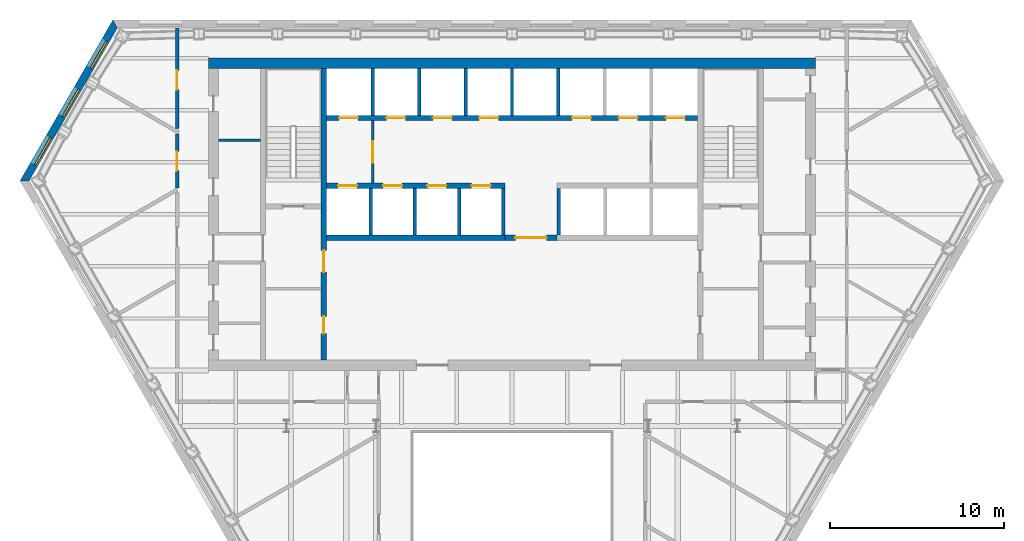
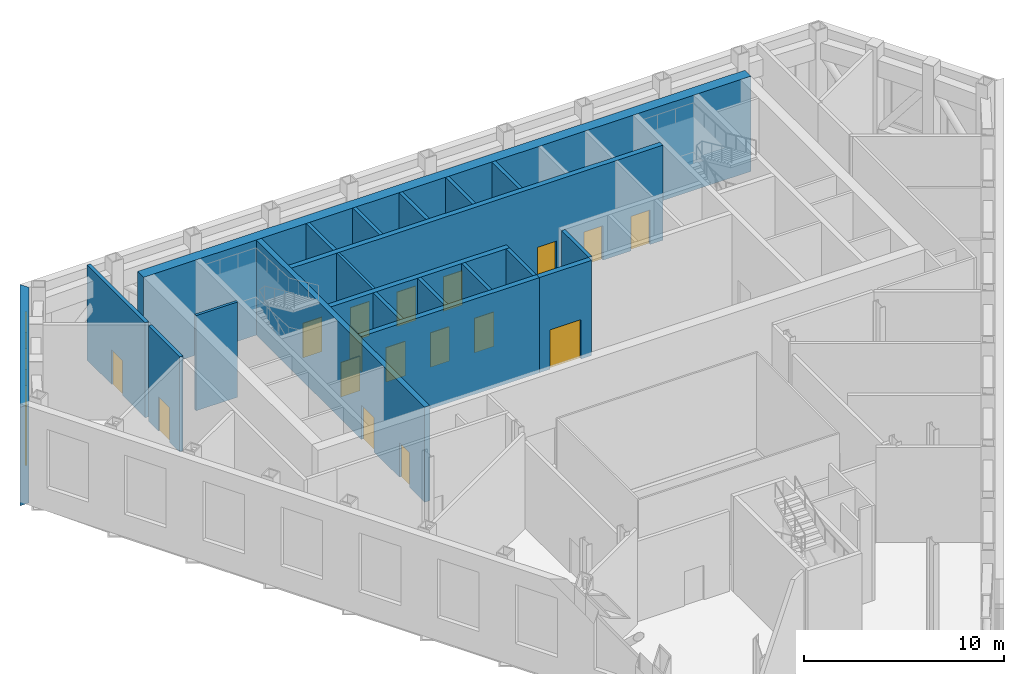
# One storey, part 9 of 14: 21 walls, 17 doors, 3 shading devices, 20 openings.
"""IFC4 building model written with IfcOpenShell, lengths in metres."""

from ifc_helpers import new_model, si_unit, direction, frame, frame_2d, origin, place, context, subcontext, project, spatial, polyline, rectangle, outline, extrude, material, layer, layer_set, type_object, element, fill, save


model = new_model("IFC4")

# Units and contexts
model_context = context("Model", 3, precision=1e-05, world=origin(), true_north=direction((0.0, 1.0)))
body_context = subcontext(model_context, "Body", "Model", "MODEL_VIEW")
ifc_project = project(units=[si_unit("LENGTHUNIT", "METRE"), si_unit("AREAUNIT", "SQUARE_METRE"), si_unit("VOLUMEUNIT", "CUBIC_METRE"), si_unit("PLANEANGLEUNIT", "RADIAN"), si_unit("MASSUNIT", "GRAM", prefix="KILO")], contexts=[model_context])

# Site, building, storey
site_placement = place(None, origin())
site = spatial("IfcSite", under=ifc_project, at=site_placement, CompositionType="ELEMENT")
building_placement = place(site_placement, origin())
building = spatial("IfcBuilding", under=site, at=building_placement, Name="Njiva Tower", CompositionType="ELEMENT")
storey_placement = place(building_placement, frame((0.0, 0.0, 78.3)))
storey = spatial("IfcBuildingStorey", under=building, at=storey_placement, Name="L16", CompositionType="ELEMENT", Elevation=78.3)

# Wall, openings, doors
ifc_material_1 = material(Name="Concrete C40/50", Category="concrete")
ifc_layer_1 = layer(ifc_material_1, 0.3)
ifc_layer_set_1 = layer_set([ifc_layer_1], Name="Concrete C40/50")
wall_type_1 = type_object("IfcWallType", Name="WT10 Stair enclosure wall 300", PredefinedType="SHEAR", material=ifc_layer_set_1)
wall_1_placement = place(storey_placement, frame((-10.85, 0.6, 0.0), z_axis=(0.0, 0.0, 1.0), x_axis=(0.0, 1.0, 0.0)))
wall_1 = element("IfcWall", 1, at=wall_1_placement, inside=storey, type_object=wall_type_1, Name="Stair wall west inner", PredefinedType="SHEAR", context=body_context, shape_type="SweptSolid", body=[
    extrude(rectangle(XDim=16.8, YDim=0.3, at=frame_2d((8.4, 0.0))), origin(), (0.0, 0.0, 1.0), 5.8),
])
opening_1_placement = place(wall_1_placement, frame((5.075, 0.0, 0.0)))
opening_1 = element("IfcOpeningElement", 2, at=opening_1_placement, cuts=wall_1, Name="Opening T1-D914", PredefinedType="OPENING", context=body_context, shape_type="SweptSolid", body=[
    extrude(rectangle(XDim=1.25, YDim=2.1, at=frame_2d((0.625, 1.05))), frame((0.0, 0.16, 0.0), z_axis=(0.0, -1.0, 0.0), x_axis=(1.0, 0.0, 0.0)), (0.0, 0.0, 1.0), 0.32),
])
opening_2_placement = place(wall_1_placement, frame((1.525, 0.0, 0.0)))
opening_2 = element("IfcOpeningElement", 3, at=opening_2_placement, cuts=wall_1, Name="Opening T1-D915", PredefinedType="OPENING", context=body_context, shape_type="SweptSolid", body=[
    extrude(rectangle(XDim=1.0, YDim=2.1, at=frame_2d((0.5, 1.05))), frame((0.0, 0.16, 0.0), z_axis=(0.0, -1.0, 0.0), x_axis=(1.0, 0.0, 0.0)), (0.0, 0.0, 1.0), 0.32),
])
ifc_material_2 = material(Name="Steel door, painted", Category="steel")
door_type_1 = type_object("IfcDoorType", Name="D5 Steel door 1000x2100", OperationType="SINGLE_SWING_LEFT", PredefinedType="DOOR", material=ifc_material_2)
door_1_placement = place(opening_2_placement, origin())
door_1 = element("IfcDoor", 4, at=door_1_placement, inside=storey, type_object=door_type_1, Name="Telecoms plant room door", OperationType="SINGLE_SWING_RIGHT", OverallHeight=2.1, OverallWidth=1.0, PredefinedType="DOOR", context=body_context, shape_type="SweptSolid", body=[
    extrude(rectangle(XDim=1.0, YDim=2.1, at=frame_2d((0.5, 1.05))), frame((0.0, 0.025, 0.0), z_axis=(0.0, -1.0, 0.0), x_axis=(1.0, 0.0, 0.0)), (0.0, 0.0, 1.0), 0.05),
])
fill(opening_2, door_1)
ifc_material_3 = material(Name="Glazed steel fire door", Category="steel")
door_type_2 = type_object("IfcDoorType", Name="D8 Vestibule corridor door 1250x2100 glazed", OperationType="SINGLE_SWING_LEFT", PredefinedType="DOOR", material=ifc_material_3)
door_2_placement = place(opening_1_placement, origin())
door_2 = element("IfcDoor", 5, at=door_2_placement, inside=storey, type_object=door_type_2, Name="Stair vestibule corridor door", OperationType="SINGLE_SWING_LEFT", OverallHeight=2.1, OverallWidth=1.25, PredefinedType="DOOR", context=body_context, shape_type="SweptSolid", body=[
    extrude(rectangle(XDim=1.25, YDim=2.1, at=frame_2d((0.625, 1.05))), frame((0.0, 0.025, 0.0), z_axis=(0.0, -1.0, 0.0), x_axis=(1.0, 0.0, 0.0)), (0.0, 0.0, 1.0), 0.05),
])
fill(opening_1, door_2)

# Wall
ifc_material_4 = material(Name="Concrete C60/75", Category="concrete")
ifc_layer_2 = layer(ifc_material_4, 0.6)
ifc_layer_set_2 = layer_set([ifc_layer_2], Name="Concrete C60/75")
wall_type_2 = type_object("IfcWallType", Name="WT15 Core wall 600", PredefinedType="SHEAR", material=ifc_layer_set_2)
wall_2_placement = place(storey_placement, frame((-17.5, 17.7, 0.0), z_axis=(0.0, 0.0, 1.0), x_axis=(1.0, 0.0, 0.0)))
element("IfcWall", 6, at=wall_2_placement, inside=storey, type_object=wall_type_2, Name="Core wall north", PredefinedType="SHEAR", context=body_context, shape_type="SweptSolid", body=[
    extrude(rectangle(XDim=35.0, YDim=0.6, at=frame_2d((17.5, 0.0))), origin(), (0.0, 0.0, 1.0), 5.8),
])

# Wall, opening, door
ifc_material_5 = material(Name="Blockwork", Category="masonry")
ifc_layer_3 = layer(ifc_material_5, 0.15)
ifc_layer_set_3 = layer_set([ifc_layer_3], Name="Blockwork")
wall_type_3 = type_object("IfcWallType", Name="WT2 Lobby partition 150", PredefinedType="PARTITIONING", material=ifc_layer_set_3)
wall_3_placement = place(storey_placement, frame((-8.025, 10.8, 0.0), z_axis=(0.0, 0.0, 1.0), x_axis=(0.0, 1.0, 0.0)))
wall_3 = element("IfcWall", 7, at=wall_3_placement, inside=storey, type_object=wall_type_3, Name="Firefighting lobby wall A", PredefinedType="PARTITIONING", context=body_context, shape_type="SweptSolid", body=[
    extrude(rectangle(XDim=3.6, YDim=0.15, at=frame_2d((1.8, 0.0))), origin(), (0.0, 0.0, 1.0), 5.8),
])
opening_3_placement = place(wall_3_placement, frame((1.175, 0.0, 0.0)))
opening_3 = element("IfcOpeningElement", 8, at=opening_3_placement, cuts=wall_3, Name="Opening T1-D912", PredefinedType="OPENING", context=body_context, shape_type="SweptSolid", body=[
    extrude(rectangle(XDim=1.25, YDim=2.1, at=frame_2d((0.625, 1.05))), frame((0.0, 0.085, 0.0), z_axis=(0.0, -1.0, 0.0), x_axis=(1.0, 0.0, 0.0)), (0.0, 0.0, 1.0), 0.17),
])
door_3_placement = place(opening_3_placement, origin())
door_3 = element("IfcDoor", 9, at=door_3_placement, inside=storey, type_object=door_type_2, Name="Stair vestibule corridor door", OperationType="SINGLE_SWING_RIGHT", OverallHeight=2.1, OverallWidth=1.25, PredefinedType="DOOR", context=body_context, shape_type="SweptSolid", body=[
    extrude(rectangle(XDim=1.25, YDim=2.1, at=frame_2d((0.625, 1.05))), frame((0.0, 0.025, 0.0), z_axis=(0.0, -1.0, 0.0), x_axis=(1.0, 0.0, 0.0)), (0.0, 0.0, 1.0), 0.05),
])
fill(opening_3, door_3)

ifc_layer_4 = layer(ifc_material_5, 0.2)
ifc_layer_set_4 = layer_set([ifc_layer_4], Name="Blockwork")
wall_type_4 = type_object("IfcWallType", Name="WT22 Plant room wall 200", PredefinedType="PARTITIONING", material=ifc_layer_set_4)
wall_4_placement = place(storey_placement, frame((-19.3, 13.942, 0.0), z_axis=(0.0, 0.0, 1.0), x_axis=(0.0, 1.0, 0.0)))
wall_4 = element("IfcWall", 10, at=wall_4_placement, inside=storey, type_object=wall_type_4, Name="Partition T1-P006", PredefinedType="PARTITIONING", context=body_context, shape_type="SweptSolid", body=[
    extrude(rectangle(XDim=5.807, YDim=0.2, at=frame_2d((2.9035, 0.0))), origin(), (0.0, 0.0, 1.0), 5.8),
])
opening_4_placement = place(wall_4_placement, frame((2.253, 0.0, 0.0)))
opening_4 = element("IfcOpeningElement", 11, at=opening_4_placement, cuts=wall_4, Name="Opening T1-D003", PredefinedType="OPENING", context=body_context, shape_type="SweptSolid", body=[
    extrude(rectangle(XDim=1.1, YDim=2.1, at=frame_2d((0.55, 1.05))), frame((0.0, 0.11, 0.0), z_axis=(0.0, -1.0, 0.0), x_axis=(1.0, 0.0, 0.0)), (0.0, 0.0, 1.0), 0.22),
])
ifc_material_6 = material(Name="Steel door set", Category="steel")
door_type_3 = type_object("IfcDoorType", Name="D34 Plant door 1100x2100", OperationType="SINGLE_SWING_LEFT", PredefinedType="DOOR", material=ifc_material_6)
door_4_placement = place(opening_4_placement, origin())
door_4 = element("IfcDoor", 12, at=door_4_placement, inside=storey, type_object=door_type_3, Name="Door T1-D003", OperationType="SINGLE_SWING_RIGHT", OverallHeight=2.1, OverallWidth=1.1, PredefinedType="DOOR", context=body_context, shape_type="SweptSolid", body=[
    extrude(rectangle(XDim=1.1, YDim=2.1, at=frame_2d((0.55, 1.05))), frame((0.0, 0.025, 0.0), z_axis=(0.0, -1.0, 0.0), x_axis=(1.0, 0.0, 0.0)), (0.0, 0.0, 1.0), 0.05),
])
fill(opening_4, door_4)

ifc_layer_5 = layer(ifc_material_5, 0.2)
ifc_layer_set_5 = layer_set([ifc_layer_5], Name="Blockwork")
wall_type_5 = type_object("IfcWallType", Name="WT23 Refuge wall 200", PredefinedType="PARTITIONING", material=ifc_layer_set_5)
wall_5_placement = place(storey_placement, frame((-19.3, 10.508, 0.0), z_axis=(0.0, 0.0, 1.0), x_axis=(0.0, 1.0, 0.0)))
wall_5 = element("IfcWall", 13, at=wall_5_placement, inside=storey, type_object=wall_type_5, Name="Partition T1-P005", PredefinedType="PARTITIONING", context=body_context, shape_type="SweptSolid", body=[
    extrude(rectangle(XDim=3.124, YDim=0.2, at=frame_2d((1.562, 0.0))), origin(), (0.0, 0.0, 1.0), 5.8),
])
opening_5_placement = place(wall_5_placement, frame((1.012, 0.0, 0.0)))
opening_5 = element("IfcOpeningElement", 14, at=opening_5_placement, cuts=wall_5, Name="Opening T1-D002", PredefinedType="OPENING", context=body_context, shape_type="SweptSolid", body=[
    extrude(rectangle(XDim=1.1, YDim=2.1, at=frame_2d((0.55, 1.05))), frame((0.0, 0.11, 0.0), z_axis=(0.0, -1.0, 0.0), x_axis=(1.0, 0.0, 0.0)), (0.0, 0.0, 1.0), 0.22),
])
door_type_4 = type_object("IfcDoorType", Name="D35 Refuge door 1100x2100", OperationType="SINGLE_SWING_LEFT", PredefinedType="DOOR", material=ifc_material_6)
door_5_placement = place(opening_5_placement, origin())
door_5 = element("IfcDoor", 15, at=door_5_placement, inside=storey, type_object=door_type_4, Name="Door T1-D002", OperationType="SINGLE_SWING_RIGHT", OverallHeight=2.1, OverallWidth=1.1, PredefinedType="DOOR", context=body_context, shape_type="SweptSolid", body=[
    extrude(rectangle(XDim=1.1, YDim=2.1, at=frame_2d((0.55, 1.05))), frame((0.0, 0.025, 0.0), z_axis=(0.0, -1.0, 0.0), x_axis=(1.0, 0.0, 0.0)), (0.0, 0.0, 1.0), 0.05),
])
fill(opening_5, door_5)

# Wall
ifc_layer_6 = layer(ifc_material_5, 0.15)
ifc_layer_set_6 = layer_set([ifc_layer_6], Name="Blockwork")
wall_type_6 = type_object("IfcWallType", Name="WT3 Riser partition 150", PredefinedType="PARTITIONING", material=ifc_layer_set_6)
wall_6_placement = place(storey_placement, frame((-16.9, 13.2712, 0.0), z_axis=(0.0, 0.0, 1.0), x_axis=(1.0, 0.0, 0.0)))
element("IfcWall", 16, at=wall_6_placement, inside=storey, type_object=wall_type_6, Name="Partition strip W10", PredefinedType="PARTITIONING", context=body_context, shape_type="SweptSolid", body=[
    extrude(rectangle(XDim=2.4, YDim=0.15, at=frame_2d((1.2, 0.0))), origin(), (0.0, 0.0, 1.0), 5.8),
])

# Wall, opening, door
ifc_layer_7 = layer(ifc_material_5, 0.3)
ifc_layer_set_7 = layer_set([ifc_layer_7], Name="Blockwork")
wall_type_7 = type_object("IfcWallType", Name="WT5 Lobby partition 300", PredefinedType="PARTITIONING", material=ifc_layer_set_7)
wall_7_placement = place(storey_placement, frame((-0.4, 7.65, 0.0), z_axis=(0.0, 0.0, 1.0), x_axis=(1.0, 0.0, 0.0)))
wall_7 = element("IfcWall", 17, at=wall_7_placement, inside=storey, type_object=wall_type_7, Name="Lift lobby screen wall", PredefinedType="PARTITIONING", context=body_context, shape_type="SweptSolid", body=[
    extrude(rectangle(XDim=3.0, YDim=0.3, at=frame_2d((1.5, 0.0))), origin(), (0.0, 0.0, 1.0), 5.8),
])
opening_6_placement = place(wall_7_placement, frame((0.6, 0.0, 0.0)))
opening_6 = element("IfcOpeningElement", 18, at=opening_6_placement, cuts=wall_7, Name="Opening T1-D932", PredefinedType="OPENING", context=body_context, shape_type="SweptSolid", body=[
    extrude(rectangle(XDim=1.8, YDim=2.4, at=frame_2d((0.9, 1.2))), frame((0.0, 0.16, 0.0), z_axis=(0.0, -1.0, 0.0), x_axis=(1.0, 0.0, 0.0)), (0.0, 0.0, 1.0), 0.32),
])
ifc_material_7 = material(Name="Steel and glass door", Category="steel")
door_type_5 = type_object("IfcDoorType", Name="D3 Core entrance door 1800x2400", OperationType="DOUBLE_DOOR_SINGLE_SWING", PredefinedType="DOOR", material=ifc_material_7)
door_6_placement = place(opening_6_placement, origin())
door_6 = element("IfcDoor", 19, at=door_6_placement, inside=storey, type_object=door_type_5, Name="Core entrance door", OperationType="DOUBLE_DOOR_SINGLE_SWING", OverallHeight=2.4, OverallWidth=1.8, PredefinedType="DOOR", context=body_context, shape_type="SweptSolid", body=[
    extrude(rectangle(XDim=1.8, YDim=2.4, at=frame_2d((0.9, 1.2))), frame((0.0, 0.025, 0.0), z_axis=(0.0, -1.0, 0.0), x_axis=(1.0, 0.0, 0.0)), (0.0, 0.0, 1.0), 0.05),
])
fill(opening_6, door_6)

# Walls
ifc_layer_8 = layer(ifc_material_1, 0.2)
ifc_layer_set_8 = layer_set([ifc_layer_8], Name="Concrete C40/50")
wall_type_8 = type_object("IfcWallType", Name="WT6 Lift shaft wall 200", PredefinedType="SHEAR", material=ifc_layer_set_8)
for number, where, z_axis, x_axis, name in (
    (20, (-8.025, 14.7, 0.0), (0.0, 0.0, 1.0), (0.0, 1.0, 0.0), "Shaft wall CN1"),
    (21, (-5.35, 14.7, 0.0), (0.0, 0.0, 1.0), (0.0, 1.0, 0.0), "Shaft wall CN2"),
    (22, (-2.675, 14.7, 0.0), (0.0, 0.0, 1.0), (0.0, 1.0, 0.0), "Shaft wall CN3"),
    (23, (0.0, 14.7, 0.0), (0.0, 0.0, 1.0), (0.0, 1.0, 0.0), "Shaft wall CN4"),
    (24, (2.675, 14.7, 0.0), (0.0, 0.0, 1.0), (0.0, 1.0, 0.0), "Shaft wall CN5"),
    (25, (-8.15, 7.8, 0.0), (0.0, 0.0, 1.0), (0.0, 1.0, 0.0), "Shaft wall CS1"),
    (26, (-5.6, 7.8, 0.0), (0.0, 0.0, 1.0), (0.0, 1.0, 0.0), "Shaft wall CS2"),
    (27, (-3.05, 7.8, 0.0), (0.0, 0.0, 1.0), (0.0, 1.0, 0.0), "Shaft wall CS3"),
    (28, (-0.5, 7.8, 0.0), (0.0, 0.0, 1.0), (0.0, 1.0, 0.0), "Shaft wall CS4"),
    (29, (2.7, 7.8, 0.0), (0.0, 0.0, 1.0), (0.0, 1.0, 0.0), "Shaft wall CS5"),
):
    element("IfcWall", number, at=place(storey_placement, frame(where, z_axis=z_axis, x_axis=x_axis)), inside=storey, type_object=wall_type_8, Name=name, PredefinedType="SHEAR", context=body_context, shape_type="SweptSolid", body=[
        extrude(rectangle(XDim=2.7, YDim=0.2, at=frame_2d((1.35, 0.0))), origin(), (0.0, 0.0, 1.0), 5.8),
    ])

# Wall, openings, doors
ifc_layer_9 = layer(ifc_material_1, 0.3)
ifc_layer_set_9 = layer_set([ifc_layer_9], Name="Concrete C40/50")
wall_type_9 = type_object("IfcWallType", Name="WT7 Lift shaft wall 300", PredefinedType="SHEAR", material=ifc_layer_set_9)
wall_8_placement = place(storey_placement, frame((-10.7, 14.55, 0.0), z_axis=(0.0, 0.0, 1.0), x_axis=(1.0, 0.0, 0.0)))
wall_8 = element("IfcWall", 30, at=wall_8_placement, inside=storey, type_object=wall_type_9, Name="Shaft wall north row lobby side", PredefinedType="SHEAR", context=body_context, shape_type="SweptSolid", body=[
    extrude(rectangle(XDim=21.4, YDim=0.3, at=frame_2d((10.7, 0.0))), origin(), (0.0, 0.0, 1.0), 5.8),
])
opening_7_placement = place(wall_8_placement, frame((0.7375, 0.0, 0.0)))
opening_7 = element("IfcOpeningElement", 31, at=opening_7_placement, cuts=wall_8, Name="Opening T1-D901", PredefinedType="OPENING", context=body_context, shape_type="SweptSolid", body=[
    extrude(rectangle(XDim=1.1, YDim=2.1, at=frame_2d((0.55, 1.05))), frame((0.0, 0.16, 0.0), z_axis=(0.0, -1.0, 0.0), x_axis=(1.0, 0.0, 0.0)), (0.0, 0.0, 1.0), 0.32),
])
opening_8_placement = place(wall_8_placement, frame((3.4625, 0.0, 0.0)))
opening_8 = element("IfcOpeningElement", 32, at=opening_8_placement, cuts=wall_8, Name="Opening T1-D902", PredefinedType="OPENING", context=body_context, shape_type="SweptSolid", body=[
    extrude(rectangle(XDim=1.1, YDim=2.1, at=frame_2d((0.55, 1.05))), frame((0.0, 0.16, 0.0), z_axis=(0.0, -1.0, 0.0), x_axis=(1.0, 0.0, 0.0)), (0.0, 0.0, 1.0), 0.32),
])
opening_9_placement = place(wall_8_placement, frame((6.1375, 0.0, 0.0)))
opening_9 = element("IfcOpeningElement", 33, at=opening_9_placement, cuts=wall_8, Name="Opening T1-D903", PredefinedType="OPENING", context=body_context, shape_type="SweptSolid", body=[
    extrude(rectangle(XDim=1.1, YDim=2.1, at=frame_2d((0.55, 1.05))), frame((0.0, 0.16, 0.0), z_axis=(0.0, -1.0, 0.0), x_axis=(1.0, 0.0, 0.0)), (0.0, 0.0, 1.0), 0.32),
])
opening_10_placement = place(wall_8_placement, frame((8.8125, 0.0, 0.0)))
opening_10 = element("IfcOpeningElement", 34, at=opening_10_placement, cuts=wall_8, Name="Opening T1-D904", PredefinedType="OPENING", context=body_context, shape_type="SweptSolid", body=[
    extrude(rectangle(XDim=1.1, YDim=2.1, at=frame_2d((0.55, 1.05))), frame((0.0, 0.16, 0.0), z_axis=(0.0, -1.0, 0.0), x_axis=(1.0, 0.0, 0.0)), (0.0, 0.0, 1.0), 0.32),
])
opening_11_placement = place(wall_8_placement, frame((14.1625, 0.0, 0.0)))
opening_11 = element("IfcOpeningElement", 35, at=opening_11_placement, cuts=wall_8, Name="Opening T1-D905", PredefinedType="OPENING", context=body_context, shape_type="SweptSolid", body=[
    extrude(rectangle(XDim=1.1, YDim=2.1, at=frame_2d((0.55, 1.05))), frame((0.0, 0.16, 0.0), z_axis=(0.0, -1.0, 0.0), x_axis=(1.0, 0.0, 0.0)), (0.0, 0.0, 1.0), 0.32),
])
opening_12_placement = place(wall_8_placement, frame((16.8375, 0.0, 0.0)))
opening_12 = element("IfcOpeningElement", 36, at=opening_12_placement, cuts=wall_8, Name="Opening T1-D906", PredefinedType="OPENING", context=body_context, shape_type="SweptSolid", body=[
    extrude(rectangle(XDim=1.1, YDim=2.1, at=frame_2d((0.55, 1.05))), frame((0.0, 0.16, 0.0), z_axis=(0.0, -1.0, 0.0), x_axis=(1.0, 0.0, 0.0)), (0.0, 0.0, 1.0), 0.32),
])
opening_13_placement = place(wall_8_placement, frame((19.5625, 0.0, 0.0)))
opening_13 = element("IfcOpeningElement", 37, at=opening_13_placement, cuts=wall_8, Name="Opening T1-D907", PredefinedType="OPENING", context=body_context, shape_type="SweptSolid", body=[
    extrude(rectangle(XDim=1.1, YDim=2.1, at=frame_2d((0.55, 1.05))), frame((0.0, 0.16, 0.0), z_axis=(0.0, -1.0, 0.0), x_axis=(1.0, 0.0, 0.0)), (0.0, 0.0, 1.0), 0.32),
])
ifc_material_8 = material(Name="Stainless steel sliding door", Category="steel")
door_type_6 = type_object("IfcDoorType", Name="LD Lift landing door 1100x2100", OperationType="SLIDING_TO_LEFT", PredefinedType="DOOR", material=ifc_material_8)
door_7_placement = place(opening_7_placement, origin())
door_7 = element("IfcDoor", 38, at=door_7_placement, inside=storey, type_object=door_type_6, Name="Lift landing door FF1", OperationType="SLIDING_TO_LEFT", OverallHeight=2.1, OverallWidth=1.1, PredefinedType="DOOR", context=body_context, shape_type="SweptSolid", body=[
    extrude(rectangle(XDim=1.1, YDim=2.1, at=frame_2d((0.55, 1.05))), frame((0.0, 0.025, 0.0), z_axis=(0.0, -1.0, 0.0), x_axis=(1.0, 0.0, 0.0)), (0.0, 0.0, 1.0), 0.05),
])
fill(opening_7, door_7)
door_8_placement = place(opening_8_placement, origin())
door_8 = element("IfcDoor", 39, at=door_8_placement, inside=storey, type_object=door_type_6, Name="Lift landing door LB1", OperationType="SLIDING_TO_LEFT", OverallHeight=2.1, OverallWidth=1.1, PredefinedType="DOOR", context=body_context, shape_type="SweptSolid", body=[
    extrude(rectangle(XDim=1.1, YDim=2.1, at=frame_2d((0.55, 1.05))), frame((0.0, 0.025, 0.0), z_axis=(0.0, -1.0, 0.0), x_axis=(1.0, 0.0, 0.0)), (0.0, 0.0, 1.0), 0.05),
])
fill(opening_8, door_8)
door_9_placement = place(opening_9_placement, origin())
door_9 = element("IfcDoor", 40, at=door_9_placement, inside=storey, type_object=door_type_6, Name="Lift landing door LB2", OperationType="SLIDING_TO_LEFT", OverallHeight=2.1, OverallWidth=1.1, PredefinedType="DOOR", context=body_context, shape_type="SweptSolid", body=[
    extrude(rectangle(XDim=1.1, YDim=2.1, at=frame_2d((0.55, 1.05))), frame((0.0, 0.025, 0.0), z_axis=(0.0, -1.0, 0.0), x_axis=(1.0, 0.0, 0.0)), (0.0, 0.0, 1.0), 0.05),
])
fill(opening_9, door_9)
door_10_placement = place(opening_10_placement, origin())
door_10 = element("IfcDoor", 41, at=door_10_placement, inside=storey, type_object=door_type_6, Name="Lift landing door LB3", OperationType="SLIDING_TO_LEFT", OverallHeight=2.1, OverallWidth=1.1, PredefinedType="DOOR", context=body_context, shape_type="SweptSolid", body=[
    extrude(rectangle(XDim=1.1, YDim=2.1, at=frame_2d((0.55, 1.05))), frame((0.0, 0.025, 0.0), z_axis=(0.0, -1.0, 0.0), x_axis=(1.0, 0.0, 0.0)), (0.0, 0.0, 1.0), 0.05),
])
fill(opening_10, door_10)
door_11_placement = place(opening_11_placement, origin())
door_11 = element("IfcDoor", 42, at=door_11_placement, inside=storey, type_object=door_type_6, Name="Lift landing door FR1", OperationType="SLIDING_TO_LEFT", OverallHeight=2.1, OverallWidth=1.1, PredefinedType="DOOR", context=body_context, shape_type="SweptSolid", body=[
    extrude(rectangle(XDim=1.1, YDim=2.1, at=frame_2d((0.55, 1.05))), frame((0.0, 0.025, 0.0), z_axis=(0.0, -1.0, 0.0), x_axis=(1.0, 0.0, 0.0)), (0.0, 0.0, 1.0), 0.05),
])
fill(opening_11, door_11)
door_12_placement = place(opening_12_placement, origin())
door_12 = element("IfcDoor", 43, at=door_12_placement, inside=storey, type_object=door_type_6, Name="Lift landing door FR2", OperationType="SLIDING_TO_LEFT", OverallHeight=2.1, OverallWidth=1.1, PredefinedType="DOOR", context=body_context, shape_type="SweptSolid", body=[
    extrude(rectangle(XDim=1.1, YDim=2.1, at=frame_2d((0.55, 1.05))), frame((0.0, 0.025, 0.0), z_axis=(0.0, -1.0, 0.0), x_axis=(1.0, 0.0, 0.0)), (0.0, 0.0, 1.0), 0.05),
])
fill(opening_12, door_12)
door_13_placement = place(opening_13_placement, origin())
door_13 = element("IfcDoor", 44, at=door_13_placement, inside=storey, type_object=door_type_6, Name="Lift landing door FF2", OperationType="SLIDING_TO_LEFT", OverallHeight=2.1, OverallWidth=1.1, PredefinedType="DOOR", context=body_context, shape_type="SweptSolid", body=[
    extrude(rectangle(XDim=1.1, YDim=2.1, at=frame_2d((0.55, 1.05))), frame((0.0, 0.025, 0.0), z_axis=(0.0, -1.0, 0.0), x_axis=(1.0, 0.0, 0.0)), (0.0, 0.0, 1.0), 0.05),
])
fill(opening_13, door_13)

wall_9_placement = place(storey_placement, frame((-10.7, 10.65, 0.0), z_axis=(0.0, 0.0, 1.0), x_axis=(1.0, 0.0, 0.0)))
wall_9 = element("IfcWall", 45, at=wall_9_placement, inside=storey, type_object=wall_type_9, Name="Shaft wall south row lobby side W", PredefinedType="SHEAR", context=body_context, shape_type="SweptSolid", body=[
    extrude(rectangle(XDim=10.3, YDim=0.3, at=frame_2d((5.15, 0.0))), origin(), (0.0, 0.0, 1.0), 5.8),
])
opening_14_placement = place(wall_9_placement, frame((0.675, 0.0, 0.0)))
opening_14 = element("IfcOpeningElement", 46, at=opening_14_placement, cuts=wall_9, Name="Opening T1-D908", PredefinedType="OPENING", context=body_context, shape_type="SweptSolid", body=[
    extrude(rectangle(XDim=1.1, YDim=2.1, at=frame_2d((0.55, 1.05))), frame((0.0, 0.16, 0.0), z_axis=(0.0, -1.0, 0.0), x_axis=(1.0, 0.0, 0.0)), (0.0, 0.0, 1.0), 0.32),
])
opening_15_placement = place(wall_9_placement, frame((3.275, 0.0, 0.0)))
opening_15 = element("IfcOpeningElement", 47, at=opening_15_placement, cuts=wall_9, Name="Opening T1-D909", PredefinedType="OPENING", context=body_context, shape_type="SweptSolid", body=[
    extrude(rectangle(XDim=1.1, YDim=2.1, at=frame_2d((0.55, 1.05))), frame((0.0, 0.16, 0.0), z_axis=(0.0, -1.0, 0.0), x_axis=(1.0, 0.0, 0.0)), (0.0, 0.0, 1.0), 0.32),
])
opening_16_placement = place(wall_9_placement, frame((5.825, 0.0, 0.0)))
opening_16 = element("IfcOpeningElement", 48, at=opening_16_placement, cuts=wall_9, Name="Opening T1-D910", PredefinedType="OPENING", context=body_context, shape_type="SweptSolid", body=[
    extrude(rectangle(XDim=1.1, YDim=2.1, at=frame_2d((0.55, 1.05))), frame((0.0, 0.16, 0.0), z_axis=(0.0, -1.0, 0.0), x_axis=(1.0, 0.0, 0.0)), (0.0, 0.0, 1.0), 0.32),
])
opening_17_placement = place(wall_9_placement, frame((8.375, 0.0, 0.0)))
opening_17 = element("IfcOpeningElement", 49, at=opening_17_placement, cuts=wall_9, Name="Opening T1-D911", PredefinedType="OPENING", context=body_context, shape_type="SweptSolid", body=[
    extrude(rectangle(XDim=1.1, YDim=2.1, at=frame_2d((0.55, 1.05))), frame((0.0, 0.16, 0.0), z_axis=(0.0, -1.0, 0.0), x_axis=(1.0, 0.0, 0.0)), (0.0, 0.0, 1.0), 0.32),
])
door_14_placement = place(opening_14_placement, origin())
door_14 = element("IfcDoor", 50, at=door_14_placement, inside=storey, type_object=door_type_6, Name="Lift landing door LB4", OperationType="SLIDING_TO_LEFT", OverallHeight=2.1, OverallWidth=1.1, PredefinedType="DOOR", context=body_context, shape_type="SweptSolid", body=[
    extrude(rectangle(XDim=1.1, YDim=2.1, at=frame_2d((0.55, 1.05))), frame((0.0, 0.025, 0.0), z_axis=(0.0, -1.0, 0.0), x_axis=(1.0, 0.0, 0.0)), (0.0, 0.0, 1.0), 0.05),
])
fill(opening_14, door_14)
door_15_placement = place(opening_15_placement, origin())
door_15 = element("IfcDoor", 51, at=door_15_placement, inside=storey, type_object=door_type_6, Name="Lift landing door LB5", OperationType="SLIDING_TO_LEFT", OverallHeight=2.1, OverallWidth=1.1, PredefinedType="DOOR", context=body_context, shape_type="SweptSolid", body=[
    extrude(rectangle(XDim=1.1, YDim=2.1, at=frame_2d((0.55, 1.05))), frame((0.0, 0.025, 0.0), z_axis=(0.0, -1.0, 0.0), x_axis=(1.0, 0.0, 0.0)), (0.0, 0.0, 1.0), 0.05),
])
fill(opening_15, door_15)
door_16_placement = place(opening_16_placement, origin())
door_16 = element("IfcDoor", 52, at=door_16_placement, inside=storey, type_object=door_type_6, Name="Lift landing door LB6", OperationType="SLIDING_TO_LEFT", OverallHeight=2.1, OverallWidth=1.1, PredefinedType="DOOR", context=body_context, shape_type="SweptSolid", body=[
    extrude(rectangle(XDim=1.1, YDim=2.1, at=frame_2d((0.55, 1.05))), frame((0.0, 0.025, 0.0), z_axis=(0.0, -1.0, 0.0), x_axis=(1.0, 0.0, 0.0)), (0.0, 0.0, 1.0), 0.05),
])
fill(opening_16, door_16)
door_17_placement = place(opening_17_placement, origin())
door_17 = element("IfcDoor", 53, at=door_17_placement, inside=storey, type_object=door_type_6, Name="Lift landing door LB7", OperationType="SLIDING_TO_LEFT", OverallHeight=2.1, OverallWidth=1.1, PredefinedType="DOOR", context=body_context, shape_type="SweptSolid", body=[
    extrude(rectangle(XDim=1.1, YDim=2.1, at=frame_2d((0.55, 1.05))), frame((0.0, 0.025, 0.0), z_axis=(0.0, -1.0, 0.0), x_axis=(1.0, 0.0, 0.0)), (0.0, 0.0, 1.0), 0.05),
])
fill(opening_17, door_17)

# Wall
wall_10_placement = place(storey_placement, frame((-10.7, 7.65, 0.0), z_axis=(0.0, 0.0, 1.0), x_axis=(1.0, 0.0, 0.0)))
element("IfcWall", 54, at=wall_10_placement, inside=storey, type_object=wall_type_9, Name="Shaft wall south row back W", PredefinedType="SHEAR", context=body_context, shape_type="SweptSolid", body=[
    extrude(rectangle(XDim=10.3, YDim=0.3, at=frame_2d((5.15, 0.0))), origin(), (0.0, 0.0, 1.0), 5.8),
])

# Wall, openings, shading devices
ifc_material_9 = material(Name="Brick masonry, buff", Category="masonry")
ifc_layer_10 = layer(ifc_material_9, 0.45)
ifc_layer_set_10 = layer_set([ifc_layer_10], Name="Brick masonry, buff")
wall_type_10 = type_object("IfcWallType", Name="WT94 Brick pier and spandrel wall 450, buff", PredefinedType="SOLIDWALL", material=ifc_layer_set_10)
wall_11_placement = place(storey_placement, frame((-22.8701, 19.975, -0.4), z_axis=(0.0, 0.0, 1.0), x_axis=(-0.499999104984, -0.866025920521, 0.0)))
wall_11 = element("IfcWall", 55, at=wall_11_placement, inside=storey, type_object=wall_type_10, Name="Facade wall NW", PredefinedType="SOLIDWALL", context=body_context, shape_type="SweptSolid", body=[
    extrude(outline(polyline([(-0.1299, -0.225), (10.5701, -0.225), (10.3103, 0.225), (0.1299, 0.225), (-0.1299, -0.225)])), origin(), (0.0, 0.0, 1.0), 6.0),
])
opening_18_placement = place(wall_11_placement, frame((1.0997, 0.0, 1.6)))
opening_18 = element("IfcOpeningElement", 56, at=opening_18_placement, cuts=wall_11, Name="Opening T1-LV11", PredefinedType="OPENING", context=body_context, shape_type="SweptSolid", body=[
    extrude(rectangle(XDim=1.8, YDim=3.6, at=frame_2d((0.9, 1.8))), frame((0.0, 0.235, 0.0), z_axis=(0.0, -1.0, 0.0), x_axis=(1.0, 0.0, 0.0)), (0.0, 0.0, 1.0), 0.47),
])
opening_19_placement = place(wall_11_placement, frame((4.3201, 0.0, 1.6)))
opening_19 = element("IfcOpeningElement", 57, at=opening_19_placement, cuts=wall_11, Name="Opening T1-LV12", PredefinedType="OPENING", context=body_context, shape_type="SweptSolid", body=[
    extrude(rectangle(XDim=1.8, YDim=3.6, at=frame_2d((0.9, 1.8))), frame((0.0, 0.235, 0.0), z_axis=(0.0, -1.0, 0.0), x_axis=(1.0, 0.0, 0.0)), (0.0, 0.0, 1.0), 0.47),
])
opening_20_placement = place(wall_11_placement, frame((7.5404, 0.0, 1.6)))
opening_20 = element("IfcOpeningElement", 58, at=opening_20_placement, cuts=wall_11, Name="Opening T1-LV13", PredefinedType="OPENING", context=body_context, shape_type="SweptSolid", body=[
    extrude(rectangle(XDim=1.8, YDim=3.6, at=frame_2d((0.9, 1.8))), frame((0.0, 0.235, 0.0), z_axis=(0.0, -1.0, 0.0), x_axis=(1.0, 0.0, 0.0)), (0.0, 0.0, 1.0), 0.47),
])
ifc_material_10 = material(Name="Aluminium louvre blades", Category="aluminium")
shading_device_type = type_object("IfcShadingDeviceType", Name="LV2 Plant louvre 1800x3600", PredefinedType="JALOUSIE", material=ifc_material_10)
shading_device_1_placement = place(opening_18_placement, origin())
shading_device_1 = element("IfcShadingDevice", 59, at=shading_device_1_placement, inside=storey, type_object=shading_device_type, Name="Plant louvre", PredefinedType="JALOUSIE", context=body_context, shape_type="SweptSolid", body=[
    extrude(rectangle(XDim=1.8, YDim=3.6, at=frame_2d((0.9, 1.8))), frame((0.0, 0.125, 0.0), z_axis=(0.0, -1.0, 0.0), x_axis=(1.0, 0.0, 0.0)), (0.0, 0.0, 1.0), 0.1),
])
fill(opening_18, shading_device_1)
shading_device_2_placement = place(opening_19_placement, origin())
shading_device_2 = element("IfcShadingDevice", 60, at=shading_device_2_placement, inside=storey, type_object=shading_device_type, Name="Plant louvre", PredefinedType="JALOUSIE", context=body_context, shape_type="SweptSolid", body=[
    extrude(rectangle(XDim=1.8, YDim=3.6, at=frame_2d((0.9, 1.8))), frame((0.0, 0.125, 0.0), z_axis=(0.0, -1.0, 0.0), x_axis=(1.0, 0.0, 0.0)), (0.0, 0.0, 1.0), 0.1),
])
fill(opening_19, shading_device_2)
shading_device_3_placement = place(opening_20_placement, origin())
shading_device_3 = element("IfcShadingDevice", 61, at=shading_device_3_placement, inside=storey, type_object=shading_device_type, Name="Plant louvre", PredefinedType="JALOUSIE", context=body_context, shape_type="SweptSolid", body=[
    extrude(rectangle(XDim=1.8, YDim=3.6, at=frame_2d((0.9, 1.8))), frame((0.0, 0.125, 0.0), z_axis=(0.0, -1.0, 0.0), x_axis=(1.0, 0.0, 0.0)), (0.0, 0.0, 1.0), 0.1),
])
fill(opening_20, shading_device_3)

save(model, "model.ifc")
